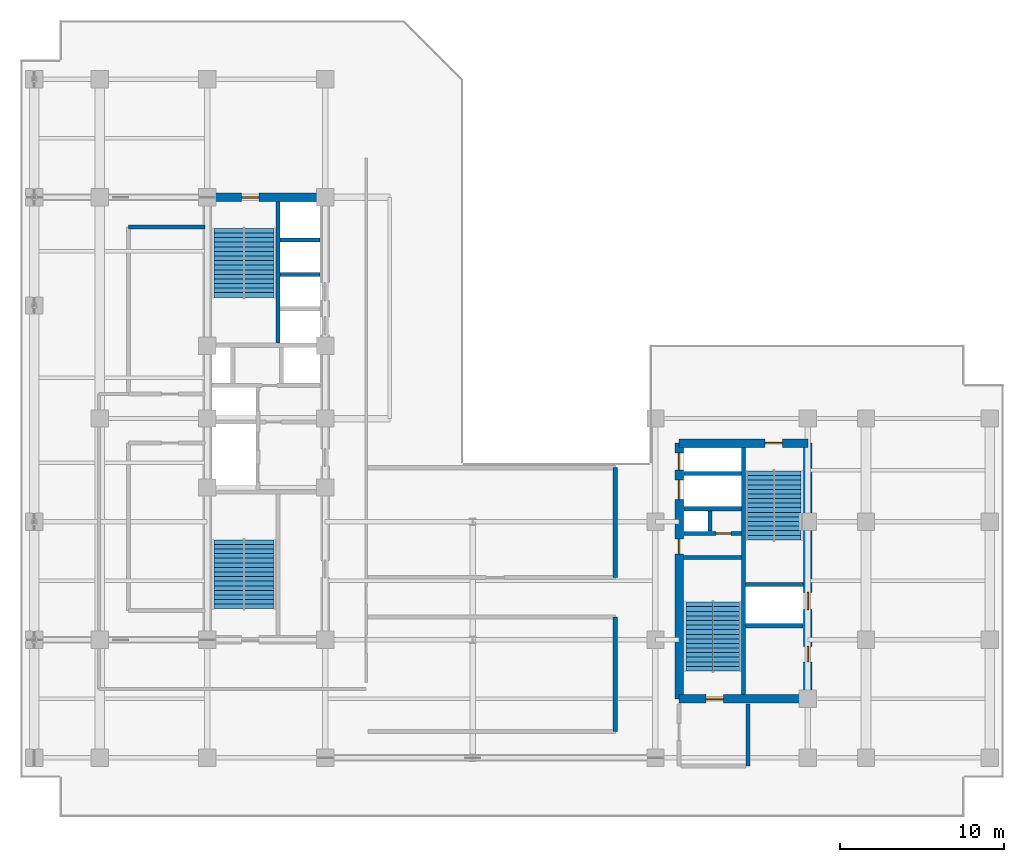
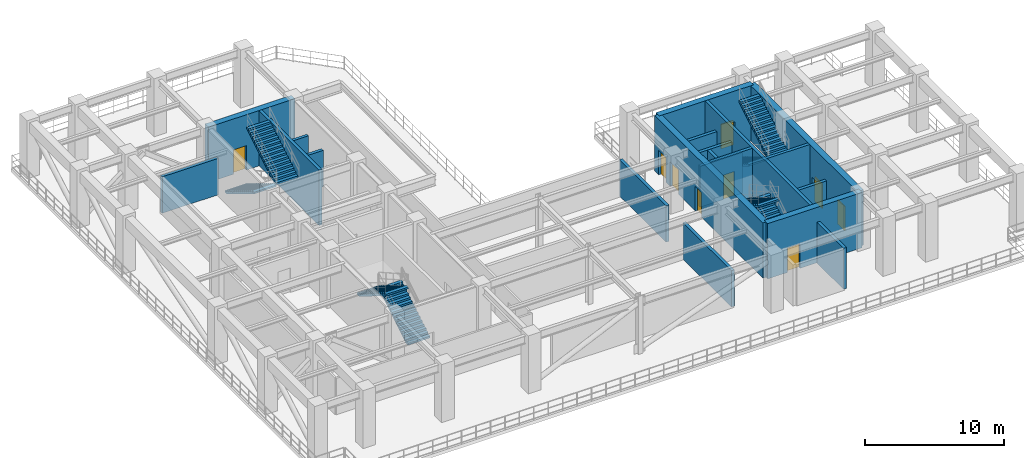
# One storey, part 7 of 16: 20 walls, 9 doors, 8 stair flights, 9 openings, 4 elements without a shape of their own.
"""IFC4 building model written with IfcOpenShell, lengths in metres."""

from ifc_helpers import new_model, entity, si_unit, converted_unit, direction, frame, origin_with_axes, origin_2d_with_axis, place, context, subcontext, project, spatial, polyline, rectangle, outline, extrude, material, layer, layer_set, type_object, element, fill, aggregate, save


model = new_model("IFC4")

# Units and contexts
model_context = context("Model", 3, precision=1e-05, world=origin_with_axes(), true_north=direction((0.0, 1.0)))
body_context = subcontext(model_context, "Body", "Model", "MODEL_VIEW")
ifc_project = project(units=[si_unit("LENGTHUNIT", "METRE"), si_unit("AREAUNIT", "SQUARE_METRE"), si_unit("VOLUMEUNIT", "CUBIC_METRE"), converted_unit("PLANEANGLEUNIT", "DEGREE", entity("IfcPlaneAngleMeasure", 0.017453292519943295), si_unit("PLANEANGLEUNIT", "RADIAN"), dimensions=[0, 0, 0, 0, 0, 0, 0]), si_unit("MASSUNIT", "GRAM", prefix="KILO"), si_unit("THERMODYNAMICTEMPERATUREUNIT", "KELVIN")], contexts=[model_context])

# Site, building, storey
site_placement = place(None, origin_with_axes())
site = spatial("IfcSite", under=ifc_project, at=site_placement, CompositionType="ELEMENT")
building_placement = place(site_placement, origin_with_axes())
building = spatial("IfcBuilding", under=site, at=building_placement, Name="Varnlund Millrace Tower", CompositionType="ELEMENT")
storey_placement = place(building_placement, frame((0.0, 0.0, 187.5), z_axis=(0.0, 0.0, 1.0), x_axis=(1.0, 0.0, 0.0)))
storey = spatial("IfcBuildingStorey", under=building, at=storey_placement, Name="L46", CompositionType="ELEMENT", Elevation=187.5)

# Wall, opening, door
ifc_material_1 = material(Name="Concrete C70/85", Category="concrete")
ifc_layer_1 = layer(ifc_material_1, 0.5, Name="Concrete C70/85")
ifc_layer_set_1 = layer_set([ifc_layer_1], Name="Concrete C70/85")
wall_type_1 = type_object("IfcWallType", Name="Type-CoreWall-Shear-500-C70", PredefinedType="SHEAR", material=ifc_layer_set_1)
wall_1_placement = place(storey_placement, frame((11.4, 37.8, 0.0), z_axis=(0.0, 0.0, 1.0), x_axis=(1.0, 0.0, 0.0)))
wall_1 = element("IfcWall", 1, at=wall_1_placement, inside=storey, type_object=wall_type_1, Name="Type-CoreWall-Shear-500-C70", PredefinedType="SHEAR", context=body_context, shape_type="SweptSolid", body=[
    extrude(outline(polyline([(0.0, -0.25), (7.2, -0.25), (7.2, 0.25), (0.0, 0.25), (0.0, -0.25)])), origin_with_axes(), (0.0, 0.0, 1.0), 4.86),
])
opening_1_placement = place(wall_1_placement, frame((2.625, 0.0, 0.0), z_axis=(0.0, 0.0, 1.0), x_axis=(1.0, 0.0, 0.0)))
opening_1 = element("IfcOpeningElement", 2, at=opening_1_placement, cuts=wall_1, Name="Opening L46:DR-STA2", PredefinedType="OPENING", context=body_context, shape_type="SweptSolid", body=[
    extrude(rectangle(XDim=1.05, YDim=0.52, at=origin_2d_with_axis()), origin_with_axes(), (0.0, 0.0, 1.0), 2.15),
])
ifc_material_2 = material(Name="Fire-rated hollow steel door", Category="steel")
door_type_1 = type_object("IfcDoorType", Name="Type-FireDoor-Stair-1050X2150", OperationType="NOTDEFINED", PredefinedType="DOOR", material=ifc_material_2)
door_1_placement = place(wall_1_placement, frame((2.625, 0.0, 0.0), z_axis=(0.0, 0.0, 1.0), x_axis=(1.0, 0.0, 0.0)))
door_1 = element("IfcDoor", 3, at=door_1_placement, inside=storey, type_object=door_type_1, Name="Type-FireDoor-Stair-1050X2150", OperationType="SINGLE_SWING_RIGHT", OverallHeight=2.15, OverallWidth=1.05, PredefinedType="DOOR", context=body_context, shape_type="SweptSolid", body=[
    extrude(rectangle(XDim=1.05, YDim=0.09, at=origin_2d_with_axis()), origin_with_axes(), (0.0, 0.0, 1.0), 2.15),
])
fill(opening_1, door_1)

# Wall, openings, doors
wall_2_placement = place(storey_placement, frame((40.2, 7.2, 0.0), z_axis=(0.0, 0.0, 1.0), x_axis=(0.0, 1.0, 0.0)))
wall_2 = element("IfcWall", 4, at=wall_2_placement, inside=storey, type_object=wall_type_1, Name="Type-CoreWall-Shear-500-C70", PredefinedType="SHEAR", context=body_context, shape_type="SweptSolid", body=[
    extrude(outline(polyline([(0.0, -0.25), (15.6, -0.25), (15.6, 0.25), (0.0, 0.25), (0.0, -0.25)])), origin_with_axes(), (0.0, 0.0, 1.0), 4.86),
])
opening_2_placement = place(wall_2_placement, frame((14.475, 0.0, 0.0), z_axis=(0.0, 0.0, 1.0), x_axis=(1.0, 0.0, 0.0)))
opening_2 = element("IfcOpeningElement", 5, at=opening_2_placement, cuts=wall_2, Name="Opening L46:LD-ELV-M4", PredefinedType="OPENING", context=body_context, shape_type="SweptSolid", body=[
    extrude(rectangle(XDim=1.05, YDim=0.52, at=origin_2d_with_axis()), origin_with_axes(), (0.0, 0.0, 1.0), 2.15),
])
opening_3_placement = place(wall_2_placement, frame((12.75, 0.0, 0.0), z_axis=(0.0, 0.0, 1.0), x_axis=(1.0, 0.0, 0.0)))
opening_3 = element("IfcOpeningElement", 6, at=opening_3_placement, cuts=wall_2, Name="Opening L46:LD-SRV2", PredefinedType="OPENING", context=body_context, shape_type="SweptSolid", body=[
    extrude(rectangle(XDim=1.2, YDim=0.52, at=origin_2d_with_axis()), origin_with_axes(), (0.0, 0.0, 1.0), 2.15),
])
opening_4_placement = place(wall_2_placement, frame((9.3, 0.0, 0.0), z_axis=(0.0, 0.0, 1.0), x_axis=(1.0, 0.0, 0.0)))
opening_4 = element("IfcOpeningElement", 7, at=opening_4_placement, cuts=wall_2, Name="Opening L46:DR-CB-JAN", PredefinedType="OPENING", context=body_context, shape_type="SweptSolid", body=[
    extrude(rectangle(XDim=0.9, YDim=0.52, at=origin_2d_with_axis()), origin_with_axes(), (0.0, 0.0, 1.0), 2.15),
])
ifc_material_3 = material(Name="Fire-rated hollow steel service closet door", Category="steel")
door_type_2 = type_object("IfcDoorType", Name="Type-FireDoor-Closet-900X2150", OperationType="NOTDEFINED", PredefinedType="DOOR", material=ifc_material_3)
door_2_placement = place(wall_2_placement, frame((9.3, 0.0, 0.0), z_axis=(0.0, 0.0, 1.0), x_axis=(1.0, 0.0, 0.0)))
door_2 = element("IfcDoor", 8, at=door_2_placement, inside=storey, type_object=door_type_2, Name="Type-FireDoor-Closet-900X2150", OperationType="SINGLE_SWING_RIGHT", OverallHeight=2.15, OverallWidth=0.9, PredefinedType="DOOR", context=body_context, shape_type="SweptSolid", body=[
    extrude(rectangle(XDim=0.9, YDim=0.09, at=origin_2d_with_axis()), origin_with_axes(), (0.0, 0.0, 1.0), 2.15),
])
fill(opening_4, door_2)
ifc_material_4 = material(Name="Architectural bronze sliding landing door")
door_type_3 = type_object("IfcDoorType", Name="Type-LiftLandingDoor-Compact-1050X2150", OperationType="NOTDEFINED", PredefinedType="DOOR", material=ifc_material_4)
door_3_placement = place(wall_2_placement, frame((14.475, 0.0, 0.0), z_axis=(0.0, 0.0, 1.0), x_axis=(1.0, 0.0, 0.0)))
door_3 = element("IfcDoor", 9, at=door_3_placement, inside=storey, type_object=door_type_3, Name="Type-LiftLandingDoor-Compact-1050X2150", OperationType="SLIDING_TO_RIGHT", OverallHeight=2.15, OverallWidth=1.05, PredefinedType="DOOR", context=body_context, shape_type="SweptSolid", body=[
    extrude(rectangle(XDim=1.05, YDim=0.09, at=origin_2d_with_axis()), origin_with_axes(), (0.0, 0.0, 1.0), 2.15),
])
fill(opening_2, door_3)
ifc_material_5 = material(Name="Heavy-duty freight sliding landing door")
door_type_4 = type_object("IfcDoorType", Name="Type-LiftLandingDoor-Service-1200X2150", OperationType="NOTDEFINED", PredefinedType="DOOR", material=ifc_material_5)
door_4_placement = place(wall_2_placement, frame((12.75, 0.0, 0.0), z_axis=(0.0, 0.0, 1.0), x_axis=(1.0, 0.0, 0.0)))
door_4 = element("IfcDoor", 10, at=door_4_placement, inside=storey, type_object=door_type_4, Name="Type-LiftLandingDoor-Service-1200X2150", OperationType="DOUBLE_DOOR_SLIDING", OverallHeight=2.15, OverallWidth=1.2, PredefinedType="DOOR", context=body_context, shape_type="SweptSolid", body=[
    extrude(rectangle(XDim=1.2, YDim=0.09, at=origin_2d_with_axis()), origin_with_axes(), (0.0, 0.0, 1.0), 2.15),
])
fill(opening_3, door_4)

# Wall, opening, door
wall_3_placement = place(storey_placement, frame((40.2, 7.2, 0.0), z_axis=(0.0, 0.0, 1.0), x_axis=(1.0, 0.0, 0.0)))
wall_3 = element("IfcWall", 11, at=wall_3_placement, inside=storey, type_object=wall_type_1, Name="Type-CoreWall-Shear-500-C70", PredefinedType="SHEAR", context=body_context, shape_type="SweptSolid", body=[
    extrude(outline(polyline([(0.0, -0.25), (7.85, -0.25), (7.85, 0.25), (0.0, 0.25), (0.0, -0.25)])), origin_with_axes(), (0.0, 0.0, 1.0), 4.86),
])
opening_5_placement = place(wall_3_placement, frame((2.175, 0.0, 0.0), z_axis=(0.0, 0.0, 1.0), x_axis=(1.0, 0.0, 0.0)))
opening_5 = element("IfcOpeningElement", 12, at=opening_5_placement, cuts=wall_3, Name="Opening L46:DR-STB1", PredefinedType="OPENING", context=body_context, shape_type="SweptSolid", body=[
    extrude(rectangle(XDim=1.05, YDim=0.52, at=origin_2d_with_axis()), origin_with_axes(), (0.0, 0.0, 1.0), 2.15),
])
door_5_placement = place(wall_3_placement, frame((2.175, 0.0, 0.0), z_axis=(0.0, 0.0, 1.0), x_axis=(1.0, 0.0, 0.0)))
door_5 = element("IfcDoor", 13, at=door_5_placement, inside=storey, type_object=door_type_1, Name="Type-FireDoor-Stair-1050X2150", OperationType="SINGLE_SWING_LEFT", OverallHeight=2.15, OverallWidth=1.05, PredefinedType="DOOR", context=body_context, shape_type="SweptSolid", body=[
    extrude(rectangle(XDim=1.05, YDim=0.09, at=origin_2d_with_axis()), origin_with_axes(), (0.0, 0.0, 1.0), 2.15),
])
fill(opening_5, door_5)

wall_4_placement = place(storey_placement, frame((40.2, 22.8, 0.0), z_axis=(0.0, 0.0, 1.0), x_axis=(1.0, 0.0, 0.0)))
wall_4 = element("IfcWall", 14, at=wall_4_placement, inside=storey, type_object=wall_type_1, Name="Type-CoreWall-Shear-500-C70", PredefinedType="SHEAR", context=body_context, shape_type="SweptSolid", body=[
    extrude(outline(polyline([(0.0, -0.25), (7.85, -0.25), (7.85, 0.25), (0.0, 0.25), (0.0, -0.25)])), origin_with_axes(), (0.0, 0.0, 1.0), 4.86),
])
opening_6_placement = place(wall_4_placement, frame((5.775, 0.0, 0.0), z_axis=(0.0, 0.0, 1.0), x_axis=(1.0, 0.0, 0.0)))
opening_6 = element("IfcOpeningElement", 15, at=opening_6_placement, cuts=wall_4, Name="Opening L46:DR-STB2", PredefinedType="OPENING", context=body_context, shape_type="SweptSolid", body=[
    extrude(rectangle(XDim=1.05, YDim=0.52, at=origin_2d_with_axis()), origin_with_axes(), (0.0, 0.0, 1.0), 2.15),
])
door_6_placement = place(wall_4_placement, frame((5.775, 0.0, 0.0), z_axis=(0.0, 0.0, 1.0), x_axis=(1.0, 0.0, 0.0)))
door_6 = element("IfcDoor", 16, at=door_6_placement, inside=storey, type_object=door_type_1, Name="Type-FireDoor-Stair-1050X2150", OperationType="SINGLE_SWING_RIGHT", OverallHeight=2.15, OverallWidth=1.05, PredefinedType="DOOR", context=body_context, shape_type="SweptSolid", body=[
    extrude(rectangle(XDim=1.05, YDim=0.09, at=origin_2d_with_axis()), origin_with_axes(), (0.0, 0.0, 1.0), 2.15),
])
fill(opening_6, door_6)

# Wall, openings, doors
wall_5_placement = place(storey_placement, frame((48.05, 7.2, 0.0), z_axis=(0.0, 0.0, 1.0), x_axis=(0.0, 1.0, 0.0)))
wall_5 = element("IfcWall", 17, at=wall_5_placement, inside=storey, type_object=wall_type_1, Name="Type-CoreWall-Shear-500-C70", PredefinedType="SHEAR", context=body_context, shape_type="SweptSolid", body=[
    extrude(outline(polyline([(0.0, -0.25), (15.6, -0.25), (15.6, 0.25), (0.0, 0.25), (0.0, -0.25)])), origin_with_axes(), (0.0, 0.0, 1.0), 4.86),
])
opening_7_placement = place(wall_5_placement, frame((5.975, 0.0, 0.0), z_axis=(0.0, 0.0, 1.0), x_axis=(1.0, 0.0, 0.0)))
opening_7 = element("IfcOpeningElement", 18, at=opening_7_placement, cuts=wall_5, Name="Opening L46:LD-ELV-M3", PredefinedType="OPENING", context=body_context, shape_type="SweptSolid", body=[
    extrude(rectangle(XDim=1.05, YDim=0.52, at=origin_2d_with_axis()), origin_with_axes(), (0.0, 0.0, 1.0), 2.15),
])
opening_8_placement = place(wall_5_placement, frame((2.725, 0.0, 0.0), z_axis=(0.0, 0.0, 1.0), x_axis=(1.0, 0.0, 0.0)))
opening_8 = element("IfcOpeningElement", 19, at=opening_8_placement, cuts=wall_5, Name="Opening L46:DR-CB-WC", PredefinedType="OPENING", context=body_context, shape_type="SweptSolid", body=[
    extrude(rectangle(XDim=0.95, YDim=0.52, at=origin_2d_with_axis()), origin_with_axes(), (0.0, 0.0, 1.0), 2.15),
])
ifc_material_6 = material(Name="Fire-rated hollow steel core service door", Category="steel")
door_type_5 = type_object("IfcDoorType", Name="Type-FireDoor-Service-950X2150", OperationType="NOTDEFINED", PredefinedType="DOOR", material=ifc_material_6)
door_7_placement = place(wall_5_placement, frame((2.725, 0.0, 0.0), z_axis=(0.0, 0.0, 1.0), x_axis=(1.0, 0.0, 0.0)))
door_7 = element("IfcDoor", 20, at=door_7_placement, inside=storey, type_object=door_type_5, Name="Type-FireDoor-Service-950X2150", OperationType="SINGLE_SWING_LEFT", OverallHeight=2.15, OverallWidth=0.95, PredefinedType="DOOR", context=body_context, shape_type="SweptSolid", body=[
    extrude(rectangle(XDim=0.95, YDim=0.09, at=origin_2d_with_axis()), origin_with_axes(), (0.0, 0.0, 1.0), 2.15),
])
fill(opening_8, door_7)
door_8_placement = place(wall_5_placement, frame((5.975, 0.0, 0.0), z_axis=(0.0, 0.0, 1.0), x_axis=(1.0, 0.0, 0.0)))
door_8 = element("IfcDoor", 21, at=door_8_placement, inside=storey, type_object=door_type_3, Name="Type-LiftLandingDoor-Compact-1050X2150", OperationType="SLIDING_TO_LEFT", OverallHeight=2.15, OverallWidth=1.05, PredefinedType="DOOR", context=body_context, shape_type="SweptSolid", body=[
    extrude(rectangle(XDim=1.05, YDim=0.09, at=origin_2d_with_axis()), origin_with_axes(), (0.0, 0.0, 1.0), 2.15),
])
fill(opening_7, door_8)

# Wall, opening, door
ifc_material_7 = material(Name="Concrete C60/75", Category="concrete")
ifc_layer_2 = layer(ifc_material_7, 0.25, Name="Concrete C60/75")
ifc_layer_set_2 = layer_set([ifc_layer_2], Name="Concrete C60/75")
wall_type_2 = type_object("IfcWallType", Name="Type-ShaftWall-Fire-250", PredefinedType="SOLIDWALL", material=ifc_layer_set_2)
wall_6_placement = place(storey_placement, frame((40.5, 17.3, 0.0), z_axis=(0.0, 0.0, 1.0), x_axis=(1.0, 0.0, 0.0)))
wall_6 = element("IfcWall", 22, at=wall_6_placement, inside=storey, type_object=wall_type_2, Name="Type-ShaftWall-Fire-250", PredefinedType="SOLIDWALL", context=body_context, shape_type="SweptSolid", body=[
    extrude(outline(polyline([(0.0, -0.125), (3.5, -0.125), (3.5, 0.125), (0.0, 0.125), (0.0, -0.125)])), origin_with_axes(), (0.0, 0.0, 1.0), 3.6),
])
opening_9_placement = place(wall_6_placement, frame((2.4, 0.0, 0.0), z_axis=(0.0, 0.0, 1.0), x_axis=(1.0, 0.0, 0.0)))
opening_9 = element("IfcOpeningElement", 23, at=opening_9_placement, cuts=wall_6, Name="Opening L46:DR-CB-ELC", PredefinedType="OPENING", context=body_context, shape_type="SweptSolid", body=[
    extrude(rectangle(XDim=0.9, YDim=0.27, at=origin_2d_with_axis()), origin_with_axes(), (0.0, 0.0, 1.0), 2.15),
])
door_9_placement = place(wall_6_placement, frame((2.4, 0.0, 0.0), z_axis=(0.0, 0.0, 1.0), x_axis=(1.0, 0.0, 0.0)))
door_9 = element("IfcDoor", 24, at=door_9_placement, inside=storey, type_object=door_type_2, Name="Type-FireDoor-Closet-900X2150", OperationType="SINGLE_SWING_LEFT", OverallHeight=2.15, OverallWidth=0.9, PredefinedType="DOOR", context=body_context, shape_type="SweptSolid", body=[
    extrude(rectangle(XDim=0.9, YDim=0.09, at=origin_2d_with_axis()), origin_with_axes(), (0.0, 0.0, 1.0), 2.15),
])
fill(opening_9, door_9)

# Walls
wall_7_placement = place(storey_placement, frame((40.5, 18.8, 0.0), z_axis=(0.0, 0.0, 1.0), x_axis=(1.0, 0.0, 0.0)))
element("IfcWall", 25, at=wall_7_placement, inside=storey, type_object=wall_type_2, Name="Type-ShaftWall-Fire-250", PredefinedType="SOLIDWALL", context=body_context, shape_type="SweptSolid", body=[
    extrude(outline(polyline([(0.0, -0.125), (3.5, -0.125), (3.5, 0.125), (0.0, 0.125), (0.0, -0.125)])), origin_with_axes(), (0.0, 0.0, 1.0), 3.6),
])
wall_8_placement = place(storey_placement, frame((42.075, 17.43, 0.0), z_axis=(0.0, 0.0, 1.0), x_axis=(0.0, 1.0, 0.0)))
element("IfcWall", 26, at=wall_8_placement, inside=storey, type_object=wall_type_2, Name="Type-ShaftWall-Fire-250", PredefinedType="SOLIDWALL", context=body_context, shape_type="SweptSolid", body=[
    extrude(outline(polyline([(0.0, -0.125), (1.24, -0.125), (1.24, 0.125), (0.0, 0.125), (0.0, -0.125)])), origin_with_axes(), (0.0, 0.0, 1.0), 3.6),
])
wall_9_placement = place(storey_placement, frame((44.4, 3.1, 0.0), z_axis=(0.0, 0.0, 1.0), x_axis=(0.0, 1.0, 0.0)))
element("IfcWall", 27, at=wall_9_placement, inside=storey, type_object=wall_type_2, Name="Type-ShaftWall-Fire-250", PredefinedType="SOLIDWALL", context=body_context, shape_type="SweptSolid", body=[
    extrude(outline(polyline([(0.0, -0.125), (3.8, -0.125), (3.8, 0.125), (0.0, 0.125), (0.0, -0.125)])), origin_with_axes(), (0.0, 0.0, 1.0), 3.6),
])
for number, where, z_axis, x_axis, name in (
    (28, (15.84, 33.1, 0.0), (0.0, 0.0, 1.0), (1.0, 0.0, 0.0), "Type-ShaftWall-Fire-250"),
    (29, (15.84, 35.2, 0.0), (0.0, 0.0, 1.0), (1.0, 0.0, 0.0), "Type-ShaftWall-Fire-250"),
):
    element("IfcWall", number, at=place(storey_placement, frame(where, z_axis=z_axis, x_axis=x_axis)), inside=storey, type_object=wall_type_2, Name=name, PredefinedType="SOLIDWALL", context=body_context, shape_type="SweptSolid", body=[
        extrude(outline(polyline([(0.0, -0.125), (2.46, -0.125), (2.46, 0.125), (0.0, 0.125), (0.0, -0.125)])), origin_with_axes(), (0.0, 0.0, 1.0), 3.2),
    ])
for number, where, z_axis, x_axis, name in (
    (30, (40.5, 20.96, 0.0), (0.0, 0.0, 1.0), (1.0, 0.0, 0.0), "Type-ShaftWall-Fire-250"),
    (31, (44.25, 11.66, 0.0), (0.0, 0.0, 1.0), (1.0, 0.0, 0.0), "Type-ShaftWall-Fire-250"),
):
    element("IfcWall", number, at=place(storey_placement, frame(where, z_axis=z_axis, x_axis=x_axis)), inside=storey, type_object=wall_type_2, Name=name, PredefinedType="SOLIDWALL", context=body_context, shape_type="SweptSolid", body=[
        extrude(outline(polyline([(0.0, -0.125), (3.5, -0.125), (3.5, 0.125), (0.0, 0.125), (0.0, -0.125)])), origin_with_axes(), (0.0, 0.0, 1.0), 3.2),
    ])
wall_10_placement = place(storey_placement, frame((6.6, 36.0, 0.0), z_axis=(0.0, 0.0, 1.0), x_axis=(1.0, 0.0, 0.0)))
element("IfcWall", 32, at=wall_10_placement, inside=storey, type_object=wall_type_2, Name="Type-ShaftWall-Fire-250", PredefinedType="SOLIDWALL", context=body_context, shape_type="SweptSolid", body=[
    extrude(outline(polyline([(0.0, -0.125), (4.67, -0.125), (4.67, 0.125), (0.0, 0.125), (0.0, -0.125)])), origin_with_axes(), (0.0, 0.0, 1.0), 3.2),
])
wall_11_placement = place(storey_placement, frame((36.3, 14.6, 0.0), z_axis=(0.0, 0.0, 1.0), x_axis=(0.0, 1.0, 0.0)))
element("IfcWall", 33, at=wall_11_placement, inside=storey, type_object=wall_type_2, Name="Type-ShaftWall-Fire-250", PredefinedType="SOLIDWALL", context=body_context, shape_type="SweptSolid", body=[
    extrude(outline(polyline([(0.0, -0.125), (6.7, -0.125), (6.7, 0.125), (0.0, 0.125), (0.0, -0.125)])), origin_with_axes(), (0.0, 0.0, 1.0), 3.2),
])
wall_12_placement = place(storey_placement, frame((36.3, 5.2, 0.0), z_axis=(0.0, 0.0, 1.0), x_axis=(0.0, 1.0, 0.0)))
element("IfcWall", 34, at=wall_12_placement, inside=storey, type_object=wall_type_2, Name="Type-ShaftWall-Fire-250", PredefinedType="SOLIDWALL", context=body_context, shape_type="SweptSolid", body=[
    extrude(outline(polyline([(0.0, -0.125), (7.0, -0.125), (7.0, 0.125), (0.0, 0.125), (0.0, -0.125)])), origin_with_axes(), (0.0, 0.0, 1.0), 3.2),
])
wall_type_3 = type_object("IfcWallType", Name="Type-StairWall-Shear-250", PredefinedType="SHEAR", material=ifc_layer_set_2)
wall_13_placement = place(storey_placement, frame((15.725, 28.9, 0.0), z_axis=(0.0, 0.0, 1.0), x_axis=(0.0, 1.0, 0.0)))
element("IfcWall", 35, at=wall_13_placement, inside=storey, type_object=wall_type_3, Name="Type-StairWall-Shear-250", PredefinedType="SHEAR", context=body_context, shape_type="SweptSolid", body=[
    extrude(outline(polyline([(0.0, -0.125), (8.65, -0.125), (8.65, 0.125), (0.0, 0.125), (0.0, -0.125)])), origin_with_axes(), (0.0, 0.0, 1.0), 4.86),
])
wall_14_placement = place(storey_placement, frame((44.125, 7.45, 0.0), z_axis=(0.0, 0.0, 1.0), x_axis=(0.0, 1.0, 0.0)))
element("IfcWall", 36, at=wall_14_placement, inside=storey, type_object=wall_type_3, Name="Type-StairWall-Shear-250", PredefinedType="SHEAR", context=body_context, shape_type="SweptSolid", body=[
    extrude(outline(polyline([(0.0, -0.125), (15.1, -0.125), (15.1, 0.125), (0.0, 0.125), (0.0, -0.125)])), origin_with_axes(), (0.0, 0.0, 1.0), 4.86),
])
for number, where, z_axis, x_axis, name in (
    (37, (40.45, 15.825, 0.0), (0.0, 0.0, 1.0), (1.0, 0.0, 0.0), "Type-StairWall-Shear-250"),
    (38, (44.25, 14.175, 0.0), (0.0, 0.0, 1.0), (1.0, 0.0, 0.0), "Type-StairWall-Shear-250"),
):
    element("IfcWall", number, at=place(storey_placement, frame(where, z_axis=z_axis, x_axis=x_axis)), inside=storey, type_object=wall_type_3, Name=name, PredefinedType="SHEAR", context=body_context, shape_type="SweptSolid", body=[
        extrude(outline(polyline([(0.0, -0.125), (3.55, -0.125), (3.55, 0.125), (0.0, 0.125), (0.0, -0.125)])), origin_with_axes(), (0.0, 0.0, 1.0), 4.86),
    ])

# Stair, stair flights
ifc_material_8 = material(Name="Concrete C50/60", Category="concrete")
stair_type_1 = type_object("IfcStairType", Name="Type-Stair-Dogleg-165-510", PredefinedType="HALF_TURN_STAIR", material=ifc_material_8)
stair_1_placement = place(storey_placement, origin_with_axes())
stair_1 = element("IfcStair", 39, at=stair_1_placement, inside=storey, type_object=stair_type_1, Name="Type-Stair-Dogleg-165-510", PredefinedType="HALF_TURN_STAIR")
ifc_material_9 = material(Name="Precast concrete C50/60", Category="concrete")
stair_flight_type_1 = type_object("IfcStairFlightType", Name="Type-Dogleg-Run-165-510", PredefinedType="STRAIGHT", material=ifc_material_9)
stair_flight_1_placement = place(storey_placement, frame((42.225, 8.9, 0.0), z_axis=(1.0, 0.0, 0.0), x_axis=(0.0, 1.0, 0.0)))
stair_flight_1 = element("IfcStairFlight", 40, at=stair_flight_1_placement, type_object=stair_flight_type_1, Name="ST-B1 flight 1", NumberOfRisers=15, NumberOfTreads=15, PredefinedType="STRAIGHT", RiserHeight=0.17, TreadLength=0.28, context=body_context, shape_type="SweptSolid", body=[
    extrude(outline(polyline([(0.0, 0.0), (0.0, 0.17), (0.28, 0.17), (0.28, 0.34), (0.56, 0.34), (0.56, 0.51), (0.84, 0.51), (0.84, 0.68), (1.12, 0.68), (1.12, 0.85), (1.4, 0.85), (1.4, 1.02), (1.68, 1.02), (1.68, 1.19), (1.96, 1.19), (1.96, 1.36), (2.24, 1.36), (2.24, 1.53), (2.52, 1.53), (2.52, 1.7), (2.8, 1.7), (2.8, 1.87), (3.08, 1.87), (3.08, 2.04), (3.36, 2.04), (3.36, 2.21), (3.64, 2.21), (3.64, 2.38), (3.92, 2.38), (3.92, 2.55), (4.2, 2.55), (4.2, 2.4), (0.28, 0.0), (0.0, 0.0)])), origin_with_axes(), (0.0, 0.0, 1.0), 1.65),
])
stair_flight_2_placement = place(storey_placement, frame((42.275, 13.1, 2.55), z_axis=(-1.0, 0.0, 0.0), x_axis=(0.0, -1.0, 0.0)))
stair_flight_2 = element("IfcStairFlight", 41, at=stair_flight_2_placement, type_object=stair_flight_type_1, Name="ST-B1 flight 2", NumberOfRisers=15, NumberOfTreads=15, PredefinedType="STRAIGHT", RiserHeight=0.17, TreadLength=0.28, context=body_context, shape_type="SweptSolid", body=[
    extrude(outline(polyline([(0.0, 0.0), (0.0, 0.17), (0.28, 0.17), (0.28, 0.34), (0.56, 0.34), (0.56, 0.51), (0.84, 0.51), (0.84, 0.68), (1.12, 0.68), (1.12, 0.85), (1.4, 0.85), (1.4, 1.02), (1.68, 1.02), (1.68, 1.19), (1.96, 1.19), (1.96, 1.36), (2.24, 1.36), (2.24, 1.53), (2.52, 1.53), (2.52, 1.7), (2.8, 1.7), (2.8, 1.87), (3.08, 1.87), (3.08, 2.04), (3.36, 2.04), (3.36, 2.21), (3.64, 2.21), (3.64, 2.38), (3.92, 2.38), (3.92, 2.55), (4.2, 2.55), (4.2, 2.4), (0.28, 0.0), (0.0, 0.0)])), origin_with_axes(), (0.0, 0.0, 1.0), 1.65),
])
aggregate(stair_1, [stair_flight_1, stair_flight_2])

stair_2_placement = place(storey_placement, origin_with_axes())
stair_2 = element("IfcStair", 42, at=stair_2_placement, inside=storey, type_object=stair_type_1, Name="Type-Stair-Dogleg-165-510", PredefinedType="HALF_TURN_STAIR")
stair_flight_3_placement = place(storey_placement, frame((46.025, 21.1, 0.0), z_axis=(-1.0, 0.0, 0.0), x_axis=(0.0, -1.0, 0.0)))
stair_flight_3 = element("IfcStairFlight", 43, at=stair_flight_3_placement, type_object=stair_flight_type_1, Name="ST-B2 flight 1", NumberOfRisers=15, NumberOfTreads=15, PredefinedType="STRAIGHT", RiserHeight=0.17, TreadLength=0.28, context=body_context, shape_type="SweptSolid", body=[
    extrude(outline(polyline([(0.0, 0.0), (0.0, 0.17), (0.28, 0.17), (0.28, 0.34), (0.56, 0.34), (0.56, 0.51), (0.84, 0.51), (0.84, 0.68), (1.12, 0.68), (1.12, 0.85), (1.4, 0.85), (1.4, 1.02), (1.68, 1.02), (1.68, 1.19), (1.96, 1.19), (1.96, 1.36), (2.24, 1.36), (2.24, 1.53), (2.52, 1.53), (2.52, 1.7), (2.8, 1.7), (2.8, 1.87), (3.08, 1.87), (3.08, 2.04), (3.36, 2.04), (3.36, 2.21), (3.64, 2.21), (3.64, 2.38), (3.92, 2.38), (3.92, 2.55), (4.2, 2.55), (4.2, 2.4), (0.28, 0.0), (0.0, 0.0)])), origin_with_axes(), (0.0, 0.0, 1.0), 1.65),
])
stair_flight_4_placement = place(storey_placement, frame((45.975, 16.9, 2.55), z_axis=(1.0, 0.0, 0.0), x_axis=(0.0, 1.0, 0.0)))
stair_flight_4 = element("IfcStairFlight", 44, at=stair_flight_4_placement, type_object=stair_flight_type_1, Name="ST-B2 flight 2", NumberOfRisers=15, NumberOfTreads=15, PredefinedType="STRAIGHT", RiserHeight=0.17, TreadLength=0.28, context=body_context, shape_type="SweptSolid", body=[
    extrude(outline(polyline([(0.0, 0.0), (0.0, 0.17), (0.28, 0.17), (0.28, 0.34), (0.56, 0.34), (0.56, 0.51), (0.84, 0.51), (0.84, 0.68), (1.12, 0.68), (1.12, 0.85), (1.4, 0.85), (1.4, 1.02), (1.68, 1.02), (1.68, 1.19), (1.96, 1.19), (1.96, 1.36), (2.24, 1.36), (2.24, 1.53), (2.52, 1.53), (2.52, 1.7), (2.8, 1.7), (2.8, 1.87), (3.08, 1.87), (3.08, 2.04), (3.36, 2.04), (3.36, 2.21), (3.64, 2.21), (3.64, 2.38), (3.92, 2.38), (3.92, 2.55), (4.2, 2.55), (4.2, 2.4), (0.28, 0.0), (0.0, 0.0)])), origin_with_axes(), (0.0, 0.0, 1.0), 1.65),
])
aggregate(stair_2, [stair_flight_3, stair_flight_4])

stair_type_2 = type_object("IfcStairType", Name="Type-Stair-Dogleg-185-510", PredefinedType="HALF_TURN_STAIR", material=ifc_material_8)
stair_3_placement = place(storey_placement, origin_with_axes())
stair_3 = element("IfcStair", 45, at=stair_3_placement, inside=storey, type_object=stair_type_2, Name="Type-Stair-Dogleg-185-510", PredefinedType="HALF_TURN_STAIR")
stair_flight_type_2 = type_object("IfcStairFlightType", Name="Type-Dogleg-Run-185-510", PredefinedType="STRAIGHT", material=ifc_material_9)
stair_flight_5_placement = place(storey_placement, frame((13.625, 12.7, 0.0), z_axis=(1.0, 0.0, 0.0), x_axis=(0.0, 1.0, 0.0)))
stair_flight_5 = element("IfcStairFlight", 46, at=stair_flight_5_placement, type_object=stair_flight_type_2, Name="ST-A1 flight 1", NumberOfRisers=15, NumberOfTreads=15, PredefinedType="STRAIGHT", RiserHeight=0.17, TreadLength=0.28, context=body_context, shape_type="SweptSolid", body=[
    extrude(outline(polyline([(0.0, 0.0), (0.0, 0.17), (0.28, 0.17), (0.28, 0.34), (0.56, 0.34), (0.56, 0.51), (0.84, 0.51), (0.84, 0.68), (1.12, 0.68), (1.12, 0.85), (1.4, 0.85), (1.4, 1.02), (1.68, 1.02), (1.68, 1.19), (1.96, 1.19), (1.96, 1.36), (2.24, 1.36), (2.24, 1.53), (2.52, 1.53), (2.52, 1.7), (2.8, 1.7), (2.8, 1.87), (3.08, 1.87), (3.08, 2.04), (3.36, 2.04), (3.36, 2.21), (3.64, 2.21), (3.64, 2.38), (3.92, 2.38), (3.92, 2.55), (4.2, 2.55), (4.2, 2.4), (0.28, 0.0), (0.0, 0.0)])), origin_with_axes(), (0.0, 0.0, 1.0), 1.85),
])
stair_flight_6_placement = place(storey_placement, frame((13.675, 16.9, 2.55), z_axis=(-1.0, 0.0, 0.0), x_axis=(0.0, -1.0, 0.0)))
stair_flight_6 = element("IfcStairFlight", 47, at=stair_flight_6_placement, type_object=stair_flight_type_2, Name="ST-A1 flight 2", NumberOfRisers=15, NumberOfTreads=15, PredefinedType="STRAIGHT", RiserHeight=0.17, TreadLength=0.28, context=body_context, shape_type="SweptSolid", body=[
    extrude(outline(polyline([(0.0, 0.0), (0.0, 0.17), (0.28, 0.17), (0.28, 0.34), (0.56, 0.34), (0.56, 0.51), (0.84, 0.51), (0.84, 0.68), (1.12, 0.68), (1.12, 0.85), (1.4, 0.85), (1.4, 1.02), (1.68, 1.02), (1.68, 1.19), (1.96, 1.19), (1.96, 1.36), (2.24, 1.36), (2.24, 1.53), (2.52, 1.53), (2.52, 1.7), (2.8, 1.7), (2.8, 1.87), (3.08, 1.87), (3.08, 2.04), (3.36, 2.04), (3.36, 2.21), (3.64, 2.21), (3.64, 2.38), (3.92, 2.38), (3.92, 2.55), (4.2, 2.55), (4.2, 2.4), (0.28, 0.0), (0.0, 0.0)])), origin_with_axes(), (0.0, 0.0, 1.0), 1.85),
])
aggregate(stair_3, [stair_flight_5, stair_flight_6])

stair_4_placement = place(storey_placement, origin_with_axes())
stair_4 = element("IfcStair", 48, at=stair_4_placement, inside=storey, type_object=stair_type_2, Name="Type-Stair-Dogleg-185-510", PredefinedType="HALF_TURN_STAIR")
stair_flight_7_placement = place(storey_placement, frame((13.675, 35.9, 0.0), z_axis=(-1.0, 0.0, 0.0), x_axis=(0.0, -1.0, 0.0)))
stair_flight_7 = element("IfcStairFlight", 49, at=stair_flight_7_placement, type_object=stair_flight_type_2, Name="ST-A2 flight 1", NumberOfRisers=15, NumberOfTreads=15, PredefinedType="STRAIGHT", RiserHeight=0.17, TreadLength=0.28, context=body_context, shape_type="SweptSolid", body=[
    extrude(outline(polyline([(0.0, 0.0), (0.0, 0.17), (0.28, 0.17), (0.28, 0.34), (0.56, 0.34), (0.56, 0.51), (0.84, 0.51), (0.84, 0.68), (1.12, 0.68), (1.12, 0.85), (1.4, 0.85), (1.4, 1.02), (1.68, 1.02), (1.68, 1.19), (1.96, 1.19), (1.96, 1.36), (2.24, 1.36), (2.24, 1.53), (2.52, 1.53), (2.52, 1.7), (2.8, 1.7), (2.8, 1.87), (3.08, 1.87), (3.08, 2.04), (3.36, 2.04), (3.36, 2.21), (3.64, 2.21), (3.64, 2.38), (3.92, 2.38), (3.92, 2.55), (4.2, 2.55), (4.2, 2.4), (0.28, 0.0), (0.0, 0.0)])), origin_with_axes(), (0.0, 0.0, 1.0), 1.85),
])
stair_flight_8_placement = place(storey_placement, frame((13.625, 31.7, 2.55), z_axis=(1.0, 0.0, 0.0), x_axis=(0.0, 1.0, 0.0)))
stair_flight_8 = element("IfcStairFlight", 50, at=stair_flight_8_placement, type_object=stair_flight_type_2, Name="ST-A2 flight 2", NumberOfRisers=15, NumberOfTreads=15, PredefinedType="STRAIGHT", RiserHeight=0.17, TreadLength=0.28, context=body_context, shape_type="SweptSolid", body=[
    extrude(outline(polyline([(0.0, 0.0), (0.0, 0.17), (0.28, 0.17), (0.28, 0.34), (0.56, 0.34), (0.56, 0.51), (0.84, 0.51), (0.84, 0.68), (1.12, 0.68), (1.12, 0.85), (1.4, 0.85), (1.4, 1.02), (1.68, 1.02), (1.68, 1.19), (1.96, 1.19), (1.96, 1.36), (2.24, 1.36), (2.24, 1.53), (2.52, 1.53), (2.52, 1.7), (2.8, 1.7), (2.8, 1.87), (3.08, 1.87), (3.08, 2.04), (3.36, 2.04), (3.36, 2.21), (3.64, 2.21), (3.64, 2.38), (3.92, 2.38), (3.92, 2.55), (4.2, 2.55), (4.2, 2.4), (0.28, 0.0), (0.0, 0.0)])), origin_with_axes(), (0.0, 0.0, 1.0), 1.85),
])
aggregate(stair_4, [stair_flight_7, stair_flight_8])

save(model, "model.ifc")
